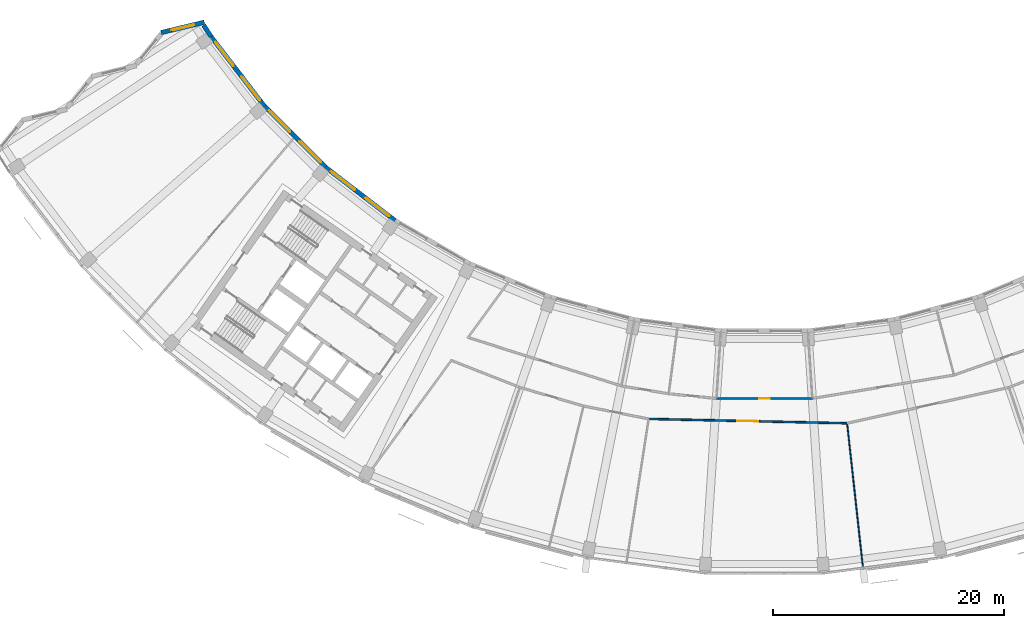
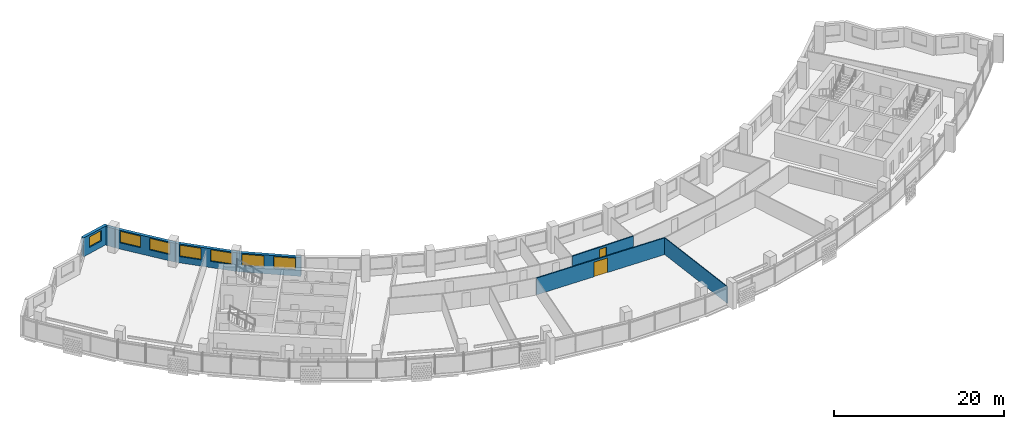
# One storey, part 5 of 28: 8 walls, 7 windows, 2 doors, 9 openings.
"""IFC4 building model written with IfcOpenShell, lengths in metres."""

from ifc_helpers import new_model, si_unit, direction, frame, frame_2d, origin, place, context, subcontext, project, spatial, rectangle, extrude, material, layer, layer_set, type_object, element, fill, save


model = new_model("IFC4")

# Units and contexts
model_context = context("Model", 3, precision=1e-05, world=origin(), true_north=direction((0.0, 1.0)))
body_context = subcontext(model_context, "Body", "Model", "MODEL_VIEW")
ifc_project = project(units=[si_unit("LENGTHUNIT", "METRE"), si_unit("AREAUNIT", "SQUARE_METRE"), si_unit("VOLUMEUNIT", "CUBIC_METRE"), si_unit("PLANEANGLEUNIT", "RADIAN"), si_unit("MASSUNIT", "GRAM", prefix="KILO")], contexts=[model_context])

# Site, building, storey
site_placement = place(None, origin())
site = spatial("IfcSite", under=ifc_project, at=site_placement, CompositionType="ELEMENT")
building_placement = place(site_placement, origin())
building = spatial("IfcBuilding", under=site, at=building_placement, Name="Qamariyya Broadcast Tower", CompositionType="ELEMENT")
storey_placement = place(building_placement, frame((0.0, 0.0, 215.10009765625)))
storey = spatial("IfcBuildingStorey", under=building, at=storey_placement, Name="L51", CompositionType="ELEMENT", Elevation=215.10009765625)

# Wall, opening, door
ifc_material_1 = material(Name="Gypsum board partition")
ifc_layer_1 = layer(ifc_material_1, 0.14990234375)
ifc_layer_set_1 = layer_set([ifc_layer_1], Name="Corridor partition 150 EI 60")
wall_type_1 = type_object("IfcWallType", Name="Corridor partition 150 EI 60", PredefinedType="PARTITIONING", material=ifc_layer_set_1)
wall_1_placement = place(storey_placement, frame((7.16162109375, -65.4091796875, 0.0), z_axis=(0.0, 0.0, 1.0), x_axis=(-0.999761358934, 0.021845484265, 0.0)))
wall_1 = element("IfcWall", 1, at=wall_1_placement, inside=storey, type_object=wall_type_1, Name="Partition L51-013", PredefinedType="PARTITIONING", context=body_context, shape_type="SweptSolid", body=[
    extrude(rectangle(XDim=17.17724609375, YDim=0.14990234375, at=frame_2d((8.588623046875, 0.0))), origin(), (0.0, 0.0, 1.0), 2.39990234375),
])
opening_1_placement = place(wall_1_placement, frame((7.688720703125, 0.0, 0.0)))
opening_1 = element("IfcOpeningElement", 2, at=opening_1_placement, cuts=wall_1, Name="Opening L51-D04", PredefinedType="OPENING", context=body_context, shape_type="SweptSolid", body=[
    extrude(rectangle(XDim=1.800048828125, YDim=2.10009765625, at=frame_2d((0.89990234375, 1.050048828125))), frame((0.0, 0.0849609375, 0.0), z_axis=(0.0, -1.0, 0.0), x_axis=(1.0, 0.0, 0.0)), (0.0, 0.0, 1.0), 0.169921875),
])
ifc_material_2 = material(Name="Timber fire door leaf", Category="wood")
door_type_1 = type_object("IfcDoorType", Name="Double fire door 1800 x 2100 FD60", OperationType="NOTDEFINED", PredefinedType="DOOR", material=ifc_material_2)
door_1_placement = place(opening_1_placement, origin())
door_1 = element("IfcDoor", 3, at=door_1_placement, inside=storey, type_object=door_type_1, Name="Door L51-D04", OperationType="DOUBLE_DOOR_SINGLE_SWING", OverallHeight=2.10009765625, OverallWidth=1.800048828125, PredefinedType="DOOR", context=body_context, shape_type="SweptSolid", body=[
    extrude(rectangle(XDim=1.800048828125, YDim=2.10009765625, at=frame_2d((0.89990234375, 1.050048828125))), frame((0.0, 0.02490234375, 0.0), z_axis=(0.0, -1.0, 0.0), x_axis=(1.0, 0.0, 0.0)), (0.0, 0.0, 1.0), 0.050048828125),
])
fill(opening_1, door_1)

wall_2_placement = place(storey_placement, frame((-4.146484375, -63.26416015625, 0.0), z_axis=(0.0, 0.0, 1.0), x_axis=(1.0, 0.0, 0.0)))
wall_2 = element("IfcWall", 4, at=wall_2_placement, inside=storey, type_object=wall_type_1, Name="Partition L51-016", PredefinedType="PARTITIONING", context=body_context, shape_type="SweptSolid", body=[
    extrude(rectangle(XDim=8.29296875, YDim=0.14990234375, at=frame_2d((4.146484375, 0.0))), origin(), (0.0, 0.0, 1.0), 2.39990234375),
])
opening_2_placement = place(wall_2_placement, frame((3.696533203125, 0.0, 0.0)))
opening_2 = element("IfcOpeningElement", 5, at=opening_2_placement, cuts=wall_2, Name="Opening L51-D10", PredefinedType="OPENING", context=body_context, shape_type="SweptSolid", body=[
    extrude(rectangle(XDim=0.89990234375, YDim=2.10009765625, at=frame_2d((0.449951171875, 1.050048828125))), frame((0.0, 0.0849609375, 0.0), z_axis=(0.0, -1.0, 0.0), x_axis=(1.0, 0.0, 0.0)), (0.0, 0.0, 1.0), 0.169921875),
])
door_type_2 = type_object("IfcDoorType", Name="Fire door 900 x 2100 FD60", OperationType="NOTDEFINED", PredefinedType="DOOR", material=ifc_material_2)
door_2_placement = place(opening_2_placement, origin())
door_2 = element("IfcDoor", 6, at=door_2_placement, inside=storey, type_object=door_type_2, Name="Door L51-D10", OperationType="SINGLE_SWING_RIGHT", OverallHeight=2.10009765625, OverallWidth=0.89990234375, PredefinedType="DOOR", context=body_context, shape_type="SweptSolid", body=[
    extrude(rectangle(XDim=0.89990234375, YDim=2.10009765625, at=frame_2d((0.449951171875, 1.050048828125))), frame((0.0, 0.02490234375, 0.0), z_axis=(0.0, -1.0, 0.0), x_axis=(1.0, 0.0, 0.0)), (0.0, 0.0, 1.0), 0.050048828125),
])
fill(opening_2, door_2)

# Wall
ifc_layer_2 = layer(ifc_material_1, 0.10009765625)
ifc_layer_set_2 = layer_set([ifc_layer_2], Name="Partition 100")
wall_type_2 = type_object("IfcWallType", Name="Partition 100", PredefinedType="PARTITIONING", material=ifc_layer_set_2)
wall_3_placement = place(storey_placement, frame((8.522216796875, -77.835205078125, 0.0), z_axis=(0.0, 0.0, 1.0), x_axis=(-0.108852796, 0.994057880006, 0.0)))
element("IfcWall", 7, at=wall_3_placement, inside=storey, type_object=wall_type_2, Name="Partition L51-021", PredefinedType="PARTITIONING", context=body_context, shape_type="SweptSolid", body=[
    extrude(rectangle(XDim=12.42529296875, YDim=0.10009765625, at=frame_2d((6.212646484375, 0.0))), origin(), (0.0, 0.0, 1.0), 2.39990234375),
])

# Wall, opening, window
ifc_material_3 = material(Name="Terracotta", Category="masonry")
ifc_layer_3 = layer(ifc_material_3, 0.39990234375)
ifc_layer_set_3 = layer_set([ifc_layer_3], Name="Terracotta clad wall 400")
wall_type_3 = type_object("IfcWallType", Name="Terracotta clad wall 400", PredefinedType="SOLIDWALL", material=ifc_layer_set_3)
wall_4_placement = place(storey_placement, frame((-48.450927734375, -30.718994140625, 0.0), z_axis=(0.0, 0.0, 1.0), x_axis=(-0.972630489867, -0.232357332962, 0.0)))
wall_4 = element("IfcWall", 8, at=wall_4_placement, inside=storey, type_object=wall_type_3, Name="e-wl-L51-capW0", PredefinedType="SOLIDWALL", context=body_context, shape_type="SweptSolid", body=[
    extrude(rectangle(XDim=3.837158203125, YDim=0.39990234375, at=frame_2d((1.91845703125, 0.0))), origin(), (0.0, 0.0, 1.0), 2.699951171875),
])
opening_3_placement = place(wall_4_placement, frame((0.918701171875, 0.0, 0.89990234375)))
opening_3 = element("IfcOpeningElement", 9, at=opening_3_placement, cuts=wall_4, Name="Opening W4", PredefinedType="OPENING", context=body_context, shape_type="SweptSolid", body=[
    extrude(rectangle(XDim=2.0, YDim=1.5, at=frame_2d((1.0, 0.75))), frame((0.0, 0.2099609375, 0.0), z_axis=(0.0, -1.0, 0.0), x_axis=(1.0, 0.0, 0.0)), (0.0, 0.0, 1.0), 0.419921875),
])
ifc_material_4 = material(Name="Clear low-e double glazed unit in aluminium frame", Category="aluminium")
window_type_1 = type_object("IfcWindowType", Name="Horn bay window 2000 x 1500", PartitioningType="SINGLE_PANEL", PredefinedType="WINDOW", material=ifc_material_4)
window_1_placement = place(opening_3_placement, origin())
window_1 = element("IfcWindow", 10, at=window_1_placement, inside=storey, type_object=window_type_1, Name="e-w-L51-capW0", OverallHeight=1.5, OverallWidth=2.0, PartitioningType="SINGLE_PANEL", PredefinedType="WINDOW", context=body_context, shape_type="SweptSolid", body=[
    extrude(rectangle(XDim=2.0, YDim=1.5, at=frame_2d((1.0, 0.75))), frame((0.0, 0.030029296875, 0.0), z_axis=(0.0, -1.0, 0.0), x_axis=(1.0, 0.0, 0.0)), (0.0, 0.0, 1.0), 0.06005859375),
])
fill(opening_3, window_1)

# Wall
wall_5_placement = place(storey_placement, frame((-47.864990234375, -31.95166015625, 0.0), z_axis=(0.0, 0.0, 1.0), x_axis=(-0.544111359154, 0.839013008742, 0.0)))
element("IfcWall", 11, at=wall_5_placement, inside=storey, type_object=wall_type_3, Name="e-wl-L51-in00", PredefinedType="SOLIDWALL", context=body_context, shape_type="SweptSolid", body=[
    extrude(rectangle(XDim=1.164794921875, YDim=0.39990234375, at=frame_2d((0.58251953125, 0.0))), origin(), (0.0, 0.0, 1.0), 2.699951171875),
])

# Wall, openings, windows
wall_6_placement = place(storey_placement, frame((-43.25341796875, -37.965576171875, 0.0), z_axis=(0.0, 0.0, 1.0), x_axis=(-0.6087649226, 0.793350659552, 0.0)))
wall_6 = element("IfcWall", 12, at=wall_6_placement, inside=storey, type_object=wall_type_3, Name="e-wl-L51-in10", PredefinedType="SOLIDWALL", context=body_context, shape_type="SweptSolid", body=[
    extrude(rectangle(XDim=7.562744140625, YDim=0.39990234375, at=frame_2d((3.78125, 0.0))), origin(), (0.0, 0.0, 1.0), 2.699951171875),
])
opening_4_placement = place(wall_6_placement, frame((4.364501953125, 0.0, 0.89990234375)))
opening_4 = element("IfcOpeningElement", 13, at=opening_4_placement, cuts=wall_6, Name="Opening W1", PredefinedType="OPENING", context=body_context, shape_type="SweptSolid", body=[
    extrude(rectangle(XDim=2.60009765625, YDim=1.64990234375, at=frame_2d((1.300048828125, 0.824951171875))), frame((0.0, 0.2099609375, 0.0), z_axis=(0.0, -1.0, 0.0), x_axis=(1.0, 0.0, 0.0)), (0.0, 0.0, 1.0), 0.419921875),
])
opening_5_placement = place(wall_6_placement, frame((0.613525390625, 0.0, 0.89990234375)))
opening_5 = element("IfcOpeningElement", 14, at=opening_5_placement, cuts=wall_6, Name="Opening W1", PredefinedType="OPENING", context=body_context, shape_type="SweptSolid", body=[
    extrude(rectangle(XDim=2.60009765625, YDim=1.64990234375, at=frame_2d((1.300048828125, 0.824951171875))), frame((0.0, 0.2099609375, 0.0), z_axis=(0.0, -1.0, 0.0), x_axis=(1.0, 0.0, 0.0)), (0.0, 0.0, 1.0), 0.419921875),
])
window_type_2 = type_object("IfcWindowType", Name="Ribbon window 2600 x 1650", PartitioningType="SINGLE_PANEL", PredefinedType="WINDOW", material=ifc_material_4)
window_2_placement = place(opening_4_placement, origin())
window_2 = element("IfcWindow", 15, at=window_2_placement, inside=storey, type_object=window_type_2, Name="e-w-L51-in01-0", OverallHeight=1.64990234375, OverallWidth=2.60009765625, PartitioningType="SINGLE_PANEL", PredefinedType="WINDOW", context=body_context, shape_type="SweptSolid", body=[
    extrude(rectangle(XDim=2.60009765625, YDim=1.64990234375, at=frame_2d((1.300048828125, 0.824951171875))), frame((0.0, 0.030029296875, 0.0), z_axis=(0.0, -1.0, 0.0), x_axis=(1.0, 0.0, 0.0)), (0.0, 0.0, 1.0), 0.06005859375),
])
fill(opening_4, window_2)
window_3_placement = place(opening_5_placement, origin())
window_3 = element("IfcWindow", 16, at=window_3_placement, inside=storey, type_object=window_type_2, Name="e-w-L51-in01-1", OverallHeight=1.64990234375, OverallWidth=2.60009765625, PartitioningType="SINGLE_PANEL", PredefinedType="WINDOW", context=body_context, shape_type="SweptSolid", body=[
    extrude(rectangle(XDim=2.60009765625, YDim=1.64990234375, at=frame_2d((1.300048828125, 0.824951171875))), frame((0.0, 0.030029296875, 0.0), z_axis=(0.0, -1.0, 0.0), x_axis=(1.0, 0.0, 0.0)), (0.0, 0.0, 1.0), 0.06005859375),
])
fill(opening_5, window_3)

wall_7_placement = place(storey_placement, frame((-37.9814453125, -43.23291015625, 0.0), z_axis=(0.0, 0.0, 1.0), x_axis=(-0.707106781187, 0.707106781187, 0.0)))
wall_7 = element("IfcWall", 17, at=wall_7_placement, inside=storey, type_object=wall_type_3, Name="e-wl-L51-in20", PredefinedType="SOLIDWALL", context=body_context, shape_type="SweptSolid", body=[
    extrude(rectangle(XDim=7.4267578125, YDim=0.39990234375, at=frame_2d((3.71337890625, 0.0))), origin(), (0.0, 0.0, 1.0), 2.699951171875),
])
opening_6_placement = place(wall_7_placement, frame((4.28857421875, 0.0, 0.89990234375)))
opening_6 = element("IfcOpeningElement", 18, at=opening_6_placement, cuts=wall_7, Name="Opening W1", PredefinedType="OPENING", context=body_context, shape_type="SweptSolid", body=[
    extrude(rectangle(XDim=2.60009765625, YDim=1.64990234375, at=frame_2d((1.300048828125, 0.824951171875))), frame((0.0, 0.2099609375, 0.0), z_axis=(0.0, -1.0, 0.0), x_axis=(1.0, 0.0, 0.0)), (0.0, 0.0, 1.0), 0.419921875),
])
opening_7_placement = place(wall_7_placement, frame((0.537841796875, 0.0, 0.89990234375)))
opening_7 = element("IfcOpeningElement", 19, at=opening_7_placement, cuts=wall_7, Name="Opening W1", PredefinedType="OPENING", context=body_context, shape_type="SweptSolid", body=[
    extrude(rectangle(XDim=2.60009765625, YDim=1.64990234375, at=frame_2d((1.300048828125, 0.824951171875))), frame((0.0, 0.2099609375, 0.0), z_axis=(0.0, -1.0, 0.0), x_axis=(1.0, 0.0, 0.0)), (0.0, 0.0, 1.0), 0.419921875),
])
window_4_placement = place(opening_6_placement, origin())
window_4 = element("IfcWindow", 20, at=window_4_placement, inside=storey, type_object=window_type_2, Name="e-w-L51-in02-0", OverallHeight=1.64990234375, OverallWidth=2.60009765625, PartitioningType="SINGLE_PANEL", PredefinedType="WINDOW", context=body_context, shape_type="SweptSolid", body=[
    extrude(rectangle(XDim=2.60009765625, YDim=1.64990234375, at=frame_2d((1.300048828125, 0.824951171875))), frame((0.0, 0.030029296875, 0.0), z_axis=(0.0, -1.0, 0.0), x_axis=(1.0, 0.0, 0.0)), (0.0, 0.0, 1.0), 0.06005859375),
])
fill(opening_6, window_4)
window_5_placement = place(opening_7_placement, origin())
window_5 = element("IfcWindow", 21, at=window_5_placement, inside=storey, type_object=window_type_2, Name="e-w-L51-in02-1", OverallHeight=1.64990234375, OverallWidth=2.60009765625, PartitioningType="SINGLE_PANEL", PredefinedType="WINDOW", context=body_context, shape_type="SweptSolid", body=[
    extrude(rectangle(XDim=2.60009765625, YDim=1.64990234375, at=frame_2d((1.300048828125, 0.824951171875))), frame((0.0, 0.030029296875, 0.0), z_axis=(0.0, -1.0, 0.0), x_axis=(1.0, 0.0, 0.0)), (0.0, 0.0, 1.0), 0.06005859375),
])
fill(opening_7, window_5)

wall_8_placement = place(storey_placement, frame((-31.953369140625, -47.86669921875, 0.0), z_axis=(0.0, 0.0, 1.0), x_axis=(-0.793356365089, 0.608757486995, 0.0)))
wall_8 = element("IfcWall", 22, at=wall_8_placement, inside=storey, type_object=wall_type_3, Name="e-wl-L51-in30", PredefinedType="SOLIDWALL", context=body_context, shape_type="SweptSolid", body=[
    extrude(rectangle(XDim=7.578125, YDim=0.39990234375, at=frame_2d((3.7890625, 0.0))), origin(), (0.0, 0.0, 1.0), 2.699951171875),
])
opening_8_placement = place(wall_8_placement, frame((4.364501953125, 0.0, 0.89990234375)))
opening_8 = element("IfcOpeningElement", 23, at=opening_8_placement, cuts=wall_8, Name="Opening W1", PredefinedType="OPENING", context=body_context, shape_type="SweptSolid", body=[
    extrude(rectangle(XDim=2.60009765625, YDim=1.64990234375, at=frame_2d((1.300048828125, 0.824951171875))), frame((0.0, 0.2099609375, 0.0), z_axis=(0.0, -1.0, 0.0), x_axis=(1.0, 0.0, 0.0)), (0.0, 0.0, 1.0), 0.419921875),
])
opening_9_placement = place(wall_8_placement, frame((0.613525390625, 0.0, 0.89990234375)))
opening_9 = element("IfcOpeningElement", 24, at=opening_9_placement, cuts=wall_8, Name="Opening W1", PredefinedType="OPENING", context=body_context, shape_type="SweptSolid", body=[
    extrude(rectangle(XDim=2.60009765625, YDim=1.64990234375, at=frame_2d((1.300048828125, 0.824951171875))), frame((0.0, 0.2099609375, 0.0), z_axis=(0.0, -1.0, 0.0), x_axis=(1.0, 0.0, 0.0)), (0.0, 0.0, 1.0), 0.419921875),
])
window_6_placement = place(opening_8_placement, origin())
window_6 = element("IfcWindow", 25, at=window_6_placement, inside=storey, type_object=window_type_2, Name="e-w-L51-in03-0", OverallHeight=1.64990234375, OverallWidth=2.60009765625, PartitioningType="SINGLE_PANEL", PredefinedType="WINDOW", context=body_context, shape_type="SweptSolid", body=[
    extrude(rectangle(XDim=2.60009765625, YDim=1.64990234375, at=frame_2d((1.300048828125, 0.824951171875))), frame((0.0, 0.030029296875, 0.0), z_axis=(0.0, -1.0, 0.0), x_axis=(1.0, 0.0, 0.0)), (0.0, 0.0, 1.0), 0.06005859375),
])
fill(opening_8, window_6)
window_7_placement = place(opening_9_placement, origin())
window_7 = element("IfcWindow", 26, at=window_7_placement, inside=storey, type_object=window_type_2, Name="e-w-L51-in03-1", OverallHeight=1.64990234375, OverallWidth=2.60009765625, PartitioningType="SINGLE_PANEL", PredefinedType="WINDOW", context=body_context, shape_type="SweptSolid", body=[
    extrude(rectangle(XDim=2.60009765625, YDim=1.64990234375, at=frame_2d((1.300048828125, 0.824951171875))), frame((0.0, 0.030029296875, 0.0), z_axis=(0.0, -1.0, 0.0), x_axis=(1.0, 0.0, 0.0)), (0.0, 0.0, 1.0), 0.06005859375),
])
fill(opening_9, window_7)

save(model, "model.ifc")
